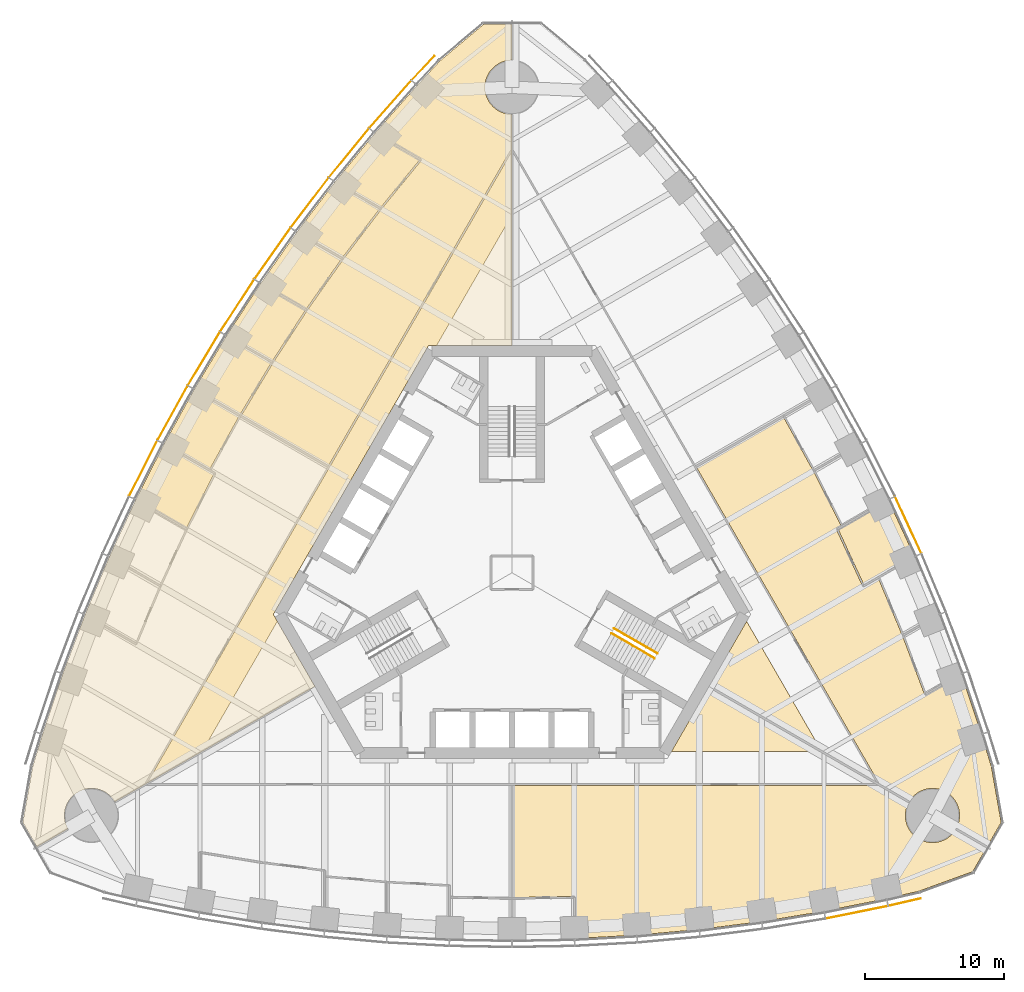
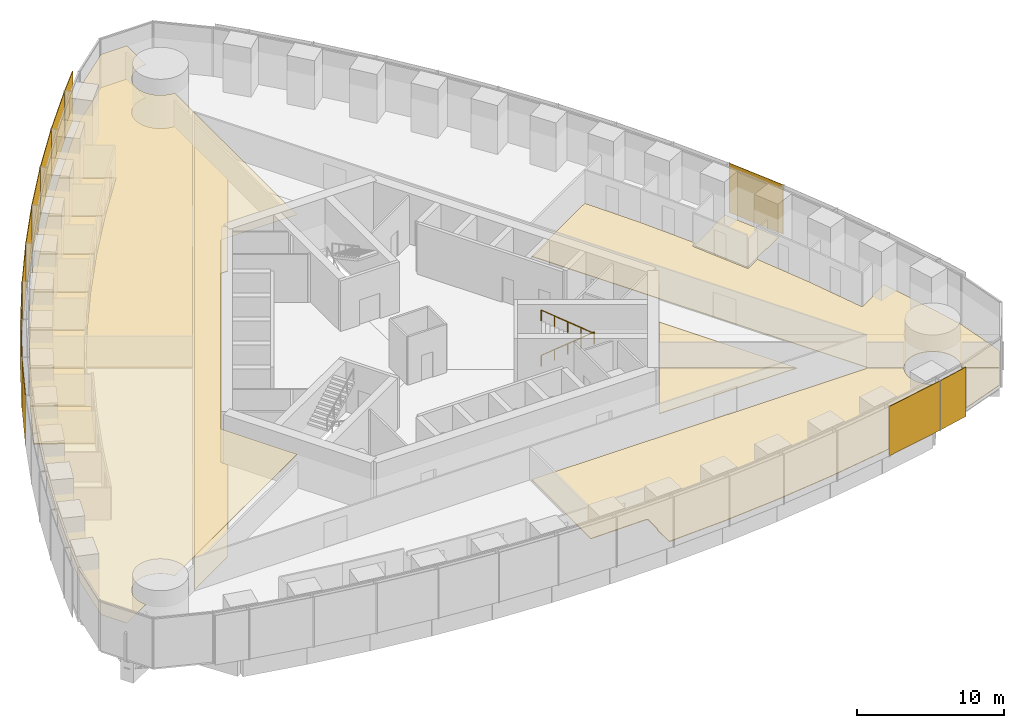
# One storey, part 15 of 18: 15 coverings, 12 shading devices, 2 railings.
"""IFC4 building model written with IfcOpenShell, lengths in metres."""

from ifc_helpers import new_model, si_unit, direction, frame, origin, origin_2d, place, context, subcontext, project, spatial, polyline, rectangle, circle, outline, extrude, material, layer, layer_set, type_object, element, save


model = new_model("IFC4")

# Units and contexts
model_context = context("Model", 3, precision=1e-05, world=origin(), true_north=direction((0.0, 1.0)))
body_context = subcontext(model_context, "Body", "Model", "MODEL_VIEW")
ifc_project = project(units=[si_unit("LENGTHUNIT", "METRE"), si_unit("AREAUNIT", "SQUARE_METRE"), si_unit("VOLUMEUNIT", "CUBIC_METRE"), si_unit("PLANEANGLEUNIT", "RADIAN"), si_unit("MASSUNIT", "GRAM", prefix="KILO")], contexts=[model_context])

# Site, building, storey
site_placement = place(None, origin())
site = spatial("IfcSite", under=ifc_project, at=site_placement, CompositionType="ELEMENT")
building_placement = place(site_placement, origin())
building = spatial("IfcBuilding", under=site, at=building_placement, Name="Trefoil Bronze Tower", CompositionType="ELEMENT")
storey_placement = place(building_placement, frame((0.0, 0.0, 161.89990234375)))
storey = spatial("IfcBuildingStorey", under=building, at=storey_placement, Name="L37", CompositionType="ELEMENT", Elevation=161.89990234375)

# Shading devices
ifc_material_1 = material(Name="Perforated bronze sheet", Category="bronze")
ifc_layer_1 = layer(ifc_material_1, 0.0400390625)
ifc_layer_set_1 = layer_set([ifc_layer_1], Name="Bronze solar screen panel")
shading_device_type = type_object("IfcShadingDeviceType", Name="Bronze solar screen panel", PredefinedType="SHUTTER", material=ifc_layer_set_1)
shading_device_1_placement = place(storey_placement, frame((24.85693359375, -24.480224609375, 0.050048828125), z_axis=(0.0, 0.0, 1.0), x_axis=(0.980155155547, 0.198231861853, 0.0)))
element("IfcShadingDevice", 1, at=shading_device_1_placement, inside=storey, type_object=shading_device_type, Name="Solar screen CW-A L37 F1 bay 13", PredefinedType="SHUTTER", context=body_context, shape_type="SweptSolid", body=[
    extrude(rectangle(XDim=4.56103515625, YDim=0.0400390625, at=origin_2d()), origin(), (0.0, 0.0, 1.0), 4.10009765625),
])
shading_device_2_placement = place(storey_placement, frame((28.30078125, -23.748779296875, 0.050048828125), z_axis=(0.0, 0.0, 1.0), x_axis=(0.97420444715, 0.225667222151, 0.0)))
element("IfcShadingDevice", 2, at=shading_device_2_placement, inside=storey, type_object=shading_device_type, Name="Solar screen CW-A L37 F1 bay 14", PredefinedType="SHUTTER", context=body_context, shape_type="SweptSolid", body=[
    extrude(rectangle(XDim=2.39013671875, YDim=0.0400390625, at=origin_2d()), origin(), (0.0, 0.0, 1.0), 4.10009765625),
])
shading_device_3_placement = place(storey_placement, frame((28.563720703125, 3.444580078125, 0.050048828125), z_axis=(0.0, 0.0, 1.0), x_axis=(-0.419932995871, 0.907555110712, 0.0)))
element("IfcShadingDevice", 3, at=shading_device_3_placement, inside=storey, type_object=shading_device_type, Name="Solar screen CW-A L37 F2 bay 5", PredefinedType="SHUTTER", context=body_context, shape_type="SweptSolid", body=[
    extrude(rectangle(XDim=4.48828125, YDim=0.0400390625, at=origin_2d()), origin(), (0.0, 0.0, 1.0), 4.10009765625),
])
shading_device_4_placement = place(storey_placement, frame((-6.416748046875, 36.383544921875, 0.050048828125), z_axis=(0.0, 0.0, 1.0), x_axis=(-0.682535770759, -0.730852188636, 0.0)))
element("IfcShadingDevice", 4, at=shading_device_4_placement, inside=storey, type_object=shading_device_type, Name="Solar screen CW-A L37 F3 bay 1", PredefinedType="SHUTTER", context=body_context, shape_type="SweptSolid", body=[
    extrude(rectangle(XDim=2.39013671875, YDim=0.0400390625, at=origin_2d()), origin(), (0.0, 0.0, 1.0), 4.10009765625),
])
shading_device_5_placement = place(storey_placement, frame((-8.77197265625, 33.766845703125, 0.050048828125), z_axis=(0.0, 0.0, 1.0), x_axis=(-0.661751405978, -0.749723333428, 0.0)))
element("IfcShadingDevice", 5, at=shading_device_5_placement, inside=storey, type_object=shading_device_type, Name="Solar screen CW-A L37 F3 bay 2", PredefinedType="SHUTTER", context=body_context, shape_type="SweptSolid", body=[
    extrude(rectangle(XDim=4.56103515625, YDim=0.0400390625, at=origin_2d()), origin(), (0.0, 0.0, 1.0), 4.10009765625),
])
shading_device_6_placement = place(storey_placement, frame((-11.7490234375, 30.26708984375, 0.050048828125), z_axis=(0.0, 0.0, 1.0), x_axis=(-0.633839916024, -0.773464259584, 0.0)))
element("IfcShadingDevice", 6, at=shading_device_6_placement, inside=storey, type_object=shading_device_type, Name="Solar screen CW-A L37 F3 bay 3", PredefinedType="SHUTTER", context=body_context, shape_type="SweptSolid", body=[
    extrude(rectangle(XDim=4.5302734375, YDim=0.0400390625, at=origin_2d()), origin(), (0.0, 0.0, 1.0), 4.10009765625),
])
shading_device_7_placement = place(storey_placement, frame((-14.579345703125, 26.6826171875, 0.050048828125), z_axis=(0.0, 0.0, 1.0), x_axis=(-0.605252319983, -0.796033685943, 0.0)))
element("IfcShadingDevice", 7, at=shading_device_7_placement, inside=storey, type_object=shading_device_type, Name="Solar screen CW-A L37 F3 bay 4", PredefinedType="SHUTTER", context=body_context, shape_type="SweptSolid", body=[
    extrude(rectangle(XDim=4.50634765625, YDim=0.0400390625, at=origin_2d()), origin(), (0.0, 0.0, 1.0), 4.10009765625),
])
shading_device_8_placement = place(storey_placement, frame((-17.264892578125, 23.014404296875, 0.050048828125), z_axis=(0.0, 0.0, 1.0), x_axis=(-0.575999283275, -0.817450197667, 0.0)))
element("IfcShadingDevice", 8, at=shading_device_8_placement, inside=storey, type_object=shading_device_type, Name="Solar screen CW-A L37 F3 bay 5", PredefinedType="SHUTTER", context=body_context, shape_type="SweptSolid", body=[
    extrude(rectangle(XDim=4.48828125, YDim=0.0400390625, at=origin_2d()), origin(), (0.0, 0.0, 1.0), 4.10009765625),
])
shading_device_9_placement = place(storey_placement, frame((-19.8076171875, 19.263916015625, 0.050048828125), z_axis=(0.0, 0.0, 1.0), x_axis=(-0.546088612237, -0.837727418427, 0.0)))
element("IfcShadingDevice", 9, at=shading_device_9_placement, inside=storey, type_object=shading_device_type, Name="Solar screen CW-A L37 F3 bay 6", PredefinedType="SHUTTER", context=body_context, shape_type="SweptSolid", body=[
    extrude(rectangle(XDim=4.4765625, YDim=0.0400390625, at=origin_2d()), origin(), (0.0, 0.0, 1.0), 4.10009765625),
])
for number, where, z_axis, x_axis, name in (
    (10, (-22.208740234375, 15.431396484375, 0.050048828125), (0.0, 0.0, 1.0), (-0.515525413486, -0.856874289526, 0.0), "Solar screen CW-A L37 F3 bay 7"),
    (11, (-24.468505859375, 11.517578125, 0.050048828125), (0.0, 0.0, 1.0), (-0.484312195836, -0.874895249138, 0.0), "Solar screen CW-A L37 F3 bay 8"),
):
    element("IfcShadingDevice", number, at=place(storey_placement, frame(where, z_axis=z_axis, x_axis=x_axis)), inside=storey, type_object=shading_device_type, Name=name, PredefinedType="SHUTTER", context=body_context, shape_type="SweptSolid", body=[
        extrude(rectangle(XDim=4.470703125, YDim=0.0400390625, at=origin_2d()), origin(), (0.0, 0.0, 1.0), 4.10009765625),
    ])
shading_device_10_placement = place(storey_placement, frame((-26.5869140625, 7.52197265625, 0.050048828125), z_axis=(0.0, 0.0, 1.0), x_axis=(-0.452448919686, -0.891790320128, 0.0)))
element("IfcShadingDevice", 12, at=shading_device_10_placement, inside=storey, type_object=shading_device_type, Name="Solar screen CW-A L37 F3 bay 9", PredefinedType="SHUTTER", context=body_context, shape_type="SweptSolid", body=[
    extrude(rectangle(XDim=4.4765625, YDim=0.0400390625, at=origin_2d()), origin(), (0.0, 0.0, 1.0), 4.10009765625),
])

# Railings
ifc_material_2 = material(Name="Steel handrail", Category="steel")
railing_type = type_object("IfcRailingType", Name="Handrail 900", PredefinedType="HANDRAIL", material=ifc_material_2)
railing_1_placement = place(storey_placement, frame((7.365966796875, -4.021728515625, 0.16162109375)))
element("IfcRailing", 13, at=railing_1_placement, inside=storey, type_object=railing_type, Name="Handrail ST1 flight 1 L37", PredefinedType="HANDRAIL", context=body_context, shape_type="SweptSolid", body=[
    extrude(circle(Radius=0.02392578125, at=origin_2d()), frame((0.0, 0.0, 0.8759765625), z_axis=(0.76250339821, -0.440245697338, 0.474101564745), x_axis=(0.500012057535, 0.866018442252, 0.0)), (0.0, 0.0, 1.0), 4.088623046875),
    extrude(circle(Radius=0.02099609375, at=origin_2d()), origin(), (0.0, 0.0, 1.0), 0.851806640625),
    extrude(circle(Radius=0.02099609375, at=origin_2d()), frame((0.779296875, -0.449951171875, 0.484619140625)), (0.0, 0.0, 1.0), 0.851806640625),
    extrude(circle(Radius=0.02099609375, at=origin_2d()), frame((1.558837890625, -0.89990234375, 0.96923828125)), (0.0, 0.0, 1.0), 0.851806640625),
    extrude(circle(Radius=0.02099609375, at=origin_2d()), frame((2.33837890625, -1.35009765625, 1.453857421875)), (0.0, 0.0, 1.0), 0.851806640625),
    extrude(circle(Radius=0.02099609375, at=origin_2d()), frame((3.11767578125, -1.800048828125, 1.9384765625)), (0.0, 0.0, 1.0), 0.851806640625),
])
railing_2_placement = place(storey_placement, frame((10.28369140625, -6.168212890625, 2.26171875)))
element("IfcRailing", 14, at=railing_2_placement, inside=storey, type_object=railing_type, Name="Handrail ST1 flight 2 L37", PredefinedType="HANDRAIL", context=body_context, shape_type="SweptSolid", body=[
    extrude(circle(Radius=0.02392578125, at=origin_2d()), frame((0.0, 0.0, 0.8759765625), z_axis=(-0.76250339821, 0.440245697338, 0.474101564745), x_axis=(-0.500012057535, -0.866018442252, 0.0)), (0.0, 0.0, 1.0), 4.088623046875),
    extrude(circle(Radius=0.02099609375, at=origin_2d()), origin(), (0.0, 0.0, 1.0), 0.851806640625),
    extrude(circle(Radius=0.02099609375, at=origin_2d()), frame((-0.779296875, 0.449951171875, 0.484619140625)), (0.0, 0.0, 1.0), 0.851806640625),
    extrude(circle(Radius=0.02099609375, at=origin_2d()), frame((-1.558837890625, 0.89990234375, 0.96923828125)), (0.0, 0.0, 1.0), 0.851806640625),
    extrude(circle(Radius=0.02099609375, at=origin_2d()), frame((-2.33837890625, 1.35009765625, 1.453857421875)), (0.0, 0.0, 1.0), 0.851806640625),
    extrude(circle(Radius=0.02099609375, at=origin_2d()), frame((-3.11767578125, 1.800048828125, 1.9384765625)), (0.0, 0.0, 1.0), 0.851806640625),
])

# Coverings
ifc_material_3 = material(Name="Acoustic ceiling panels", Category="mineral fibre")
ifc_layer_2 = layer(ifc_material_3, 0.02001953125)
ifc_layer_set_2 = layer_set([ifc_layer_2], Name="Office ceiling 20")
covering_type_1 = type_object("IfcCoveringType", Name="Office ceiling 20", PredefinedType="CEILING", material=ifc_layer_set_2)
covering_1_placement = place(storey_placement, frame((0.0, 0.0, 2.900146484375)))
element("IfcCovering", 15, at=covering_1_placement, inside=storey, type_object=covering_type_1, Name="Ceiling L37 Workspace F3", PredefinedType="CEILING", context=body_context, shape_type="SweptSolid", body=[
    extrude(outline(polyline([(-33.847900390625, -11.634765625), (-32.385986328125, -7.28271484375), (-30.776611328125, -3.015625), (-29.022216796875, 1.16748046875), (-27.124755859375, 5.268310546875), (-25.085693359375, 9.287109375), (-22.906005859375, 13.224853515625), (-20.585693359375, 17.081298828125), (-18.124755859375, 20.856689453125), (-15.522216796875, 24.55029296875), (-12.776611328125, 28.1611328125), (-9.885986328125, 31.6884765625), (-6.847900390625, 35.130615234375), (-5.1962890625, 36.8994140625), (-2.052001953125, 39.53759765625), (-0.014892578125, 39.53759765625), (-0.013916015625, 36.94970703125), (-0.095703125, 36.94775390625), (-0.191162109375, 36.940673828125), (-0.2861328125, 36.928955078125), (-0.38037109375, 36.91259765625), (-0.473876953125, 36.8916015625), (-0.566162109375, 36.865966796875), (-0.656982421875, 36.8359375), (-0.74609375, 36.801513671875), (-0.833740234375, 36.7626953125), (-0.919189453125, 36.7197265625), (-1.00244140625, 36.672607421875), (-1.08349609375, 36.621337890625), (-1.16162109375, 36.56640625), (-1.237060546875, 36.50732421875), (-1.3095703125, 36.44482421875), (-1.37890625, 36.37890625), (-1.44482421875, 36.3095703125), (-1.50732421875, 36.237060546875), (-1.56640625, 36.16162109375), (-1.621337890625, 36.08349609375), (-1.672607421875, 36.00244140625), (-1.7197265625, 35.919189453125), (-1.7626953125, 35.833740234375), (-1.801513671875, 35.74609375), (-1.8359375, 35.656982421875), (-1.865966796875, 35.566162109375), (-1.8916015625, 35.473876953125), (-1.91259765625, 35.38037109375), (-1.928955078125, 35.2861328125), (-1.940673828125, 35.191162109375), (-1.94775390625, 35.095703125), (-1.949951171875, 35.0), (-1.94775390625, 34.904296875), (-1.940673828125, 34.808837890625), (-1.928955078125, 34.7138671875), (-1.91259765625, 34.61962890625), (-1.8916015625, 34.526123046875), (-1.865966796875, 34.433837890625), (-1.8359375, 34.343017578125), (-1.801513671875, 34.25390625), (-1.7626953125, 34.166259765625), (-1.7197265625, 34.080810546875), (-1.672607421875, 33.99755859375), (-1.621337890625, 33.91650390625), (-1.56640625, 33.83837890625), (-1.50732421875, 33.762939453125), (-1.44482421875, 33.6904296875), (-1.37890625, 33.62109375), (-1.3095703125, 33.55517578125), (-1.237060546875, 33.49267578125), (-1.16162109375, 33.43359375), (-1.08349609375, 33.378662109375), (-1.00244140625, 33.327392578125), (-0.919189453125, 33.2802734375), (-0.833740234375, 33.2373046875), (-0.74609375, 33.198486328125), (-0.656982421875, 33.1640625), (-0.566162109375, 33.134033203125), (-0.473876953125, 33.1083984375), (-0.38037109375, 33.08740234375), (-0.2861328125, 33.071044921875), (-0.191162109375, 33.059326171875), (-0.095703125, 33.05224609375), (-0.012451171875, 33.05029296875), (-0.006103515625, 16.39990234375), (-6.00439453125, 16.39990234375), (-17.205078125, -3.0), (-14.205810546875, -8.194580078125), (-28.628662109375, -16.514404296875), (-28.689453125, -16.41650390625), (-28.74462890625, -16.33837890625), (-28.803466796875, -16.262939453125), (-28.865966796875, -16.1904296875), (-28.931884765625, -16.12109375), (-29.001220703125, -16.05517578125), (-29.07373046875, -15.99267578125), (-29.1494140625, -15.93359375), (-29.2275390625, -15.878662109375), (-29.308349609375, -15.827392578125), (-29.3916015625, -15.7802734375), (-29.477294921875, -15.7373046875), (-29.564697265625, -15.698486328125), (-29.654052734375, -15.6640625), (-29.744873046875, -15.634033203125), (-29.837158203125, -15.6083984375), (-29.930419921875, -15.58740234375), (-30.02490234375, -15.571044921875), (-30.119873046875, -15.559326171875), (-30.215087890625, -15.55224609375), (-30.310791015625, -15.550048828125), (-30.406494140625, -15.55224609375), (-30.501953125, -15.559326171875), (-30.596923828125, -15.571044921875), (-30.69140625, -15.58740234375), (-30.78466796875, -15.6083984375), (-30.876953125, -15.634033203125), (-30.9677734375, -15.6640625), (-31.05712890625, -15.698486328125), (-31.14453125, -15.7373046875), (-31.22998046875, -15.7802734375), (-31.3134765625, -15.827392578125), (-31.394287109375, -15.878662109375), (-31.472412109375, -15.93359375), (-31.548095703125, -15.99267578125), (-31.620361328125, -16.05517578125), (-31.689697265625, -16.12109375), (-31.755615234375, -16.1904296875), (-31.818359375, -16.262939453125), (-31.877197265625, -16.33837890625), (-31.932373046875, -16.41650390625), (-31.9833984375, -16.49755859375), (-32.030517578125, -16.580810546875), (-32.07373046875, -16.666259765625), (-32.112548828125, -16.75390625), (-32.14697265625, -16.843017578125), (-32.177001953125, -16.933837890625), (-32.202392578125, -17.026123046875), (-32.223388671875, -17.11962890625), (-32.23974609375, -17.2138671875), (-32.25146484375, -17.308837890625), (-32.258544921875, -17.404296875), (-32.260986328125, -17.5), (-32.258544921875, -17.595703125), (-32.25146484375, -17.691162109375), (-32.23974609375, -17.7861328125), (-32.223388671875, -17.88037109375), (-32.202392578125, -17.973876953125), (-32.177001953125, -18.066162109375), (-32.14697265625, -18.156982421875), (-32.112548828125, -18.24609375), (-32.07373046875, -18.333740234375), (-32.030517578125, -18.419189453125), (-32.006103515625, -18.462646484375), (-34.247802734375, -19.755859375), (-35.2666015625, -17.99169921875), (-34.5537109375, -13.94970703125), (-33.847900390625, -11.634765625)])), origin(), (0.0, 0.0, 1.0), 0.02001953125),
])
ifc_material_4 = material(Name="Raised access floor panels", Category="steel")
ifc_layer_3 = layer(ifc_material_4, 0.050048828125)
ifc_layer_set_3 = layer_set([ifc_layer_3], Name="Raised access floor 150")
covering_type_2 = type_object("IfcCoveringType", Name="Raised access floor 150", PredefinedType="FLOORING", material=ifc_layer_set_3)
covering_2_placement = place(storey_placement, frame((0.0, 0.0, 0.10009765625)))
element("IfcCovering", 16, at=covering_2_placement, inside=storey, type_object=covering_type_2, Name="Raised floor L37 Workspace F1", PredefinedType="FLOORING", context=body_context, shape_type="SweptSolid", body=[
    extrude(outline(polyline([(9.0, -26.125), (4.5, -26.36865234375), (4.5, -24.737548828125), (4.56005859375, -24.737548828125), (4.56005859375, -23.3935546875), (4.5, -23.3935546875), (4.498779296875, -23.33349609375), (0.074951171875, -23.413330078125), (0.074951171875, -15.320068359375), (26.398193359375, -15.320068359375), (26.398193359375, -15.254150390625), (28.616455078125, -16.535888671875), (28.591064453125, -16.580810546875), (28.548095703125, -16.666259765625), (28.50927734375, -16.75390625), (28.474853515625, -16.843017578125), (28.44482421875, -16.933837890625), (28.419189453125, -17.026123046875), (28.3984375, -17.11962890625), (28.382080078125, -17.2138671875), (28.370361328125, -17.308837890625), (28.36328125, -17.404296875), (28.36083984375, -17.5), (28.36328125, -17.595703125), (28.370361328125, -17.691162109375), (28.382080078125, -17.7861328125), (28.3984375, -17.88037109375), (28.419189453125, -17.973876953125), (28.44482421875, -18.066162109375), (28.474853515625, -18.156982421875), (28.50927734375, -18.24609375), (28.548095703125, -18.333740234375), (28.591064453125, -18.419189453125), (28.63818359375, -18.50244140625), (28.689453125, -18.58349609375), (28.74462890625, -18.66162109375), (28.803466796875, -18.737060546875), (28.865966796875, -18.8095703125), (28.931884765625, -18.87890625), (29.001220703125, -18.94482421875), (29.07373046875, -19.00732421875), (29.1494140625, -19.06640625), (29.2275390625, -19.121337890625), (29.308349609375, -19.172607421875), (29.3916015625, -19.2197265625), (29.477294921875, -19.2626953125), (29.564697265625, -19.301513671875), (29.654052734375, -19.3359375), (29.744873046875, -19.365966796875), (29.837158203125, -19.3916015625), (29.930419921875, -19.41259765625), (30.02490234375, -19.428955078125), (30.119873046875, -19.440673828125), (30.215087890625, -19.44775390625), (30.310791015625, -19.449951171875), (30.406494140625, -19.44775390625), (30.501953125, -19.440673828125), (30.596923828125, -19.428955078125), (30.69140625, -19.41259765625), (30.78466796875, -19.3916015625), (30.876953125, -19.365966796875), (30.9677734375, -19.3359375), (31.05712890625, -19.301513671875), (31.14453125, -19.2626953125), (31.22998046875, -19.2197265625), (31.3134765625, -19.172607421875), (31.394287109375, -19.121337890625), (31.472412109375, -19.06640625), (31.548095703125, -19.00732421875), (31.620361328125, -18.94482421875), (31.689697265625, -18.87890625), (31.755615234375, -18.8095703125), (31.818359375, -18.737060546875), (31.877197265625, -18.66162109375), (31.932373046875, -18.58349609375), (31.992431640625, -18.48681640625), (34.233154296875, -19.781494140625), (33.21435546875, -21.5458984375), (29.357666015625, -22.94970703125), (27.0, -23.495849609375), (22.5, -24.406005859375), (18.0, -25.1455078125), (13.5, -25.7177734375), (9.0, -26.125)])), origin(), (0.0, 0.0, 1.0), 0.050048828125),
])
covering_3_placement = place(storey_placement, frame((0.0, 0.0, 0.10009765625)))
element("IfcCovering", 17, at=covering_3_placement, inside=storey, type_object=covering_type_2, Name="Raised floor L37 Workspace F1", PredefinedType="FLOORING", context=body_context, shape_type="SweptSolid", body=[
    extrude(outline(polyline([(11.4892578125, -12.89990234375), (14.19970703125, -8.205322265625), (22.32421875, -12.89990234375), (11.4892578125, -12.89990234375)])), origin(), (0.0, 0.0, 1.0), 0.050048828125),
])
covering_4_placement = place(storey_placement, frame((0.0, 0.0, 0.10009765625)))
element("IfcCovering", 18, at=covering_4_placement, inside=storey, type_object=covering_type_2, Name="Raised floor L37 Meeting room F2", PredefinedType="FLOORING", context=body_context, shape_type="SweptSolid", body=[
    extrude(outline(polyline([(27.124755859375, 5.268310546875), (29.022216796875, 1.16748046875), (27.602294921875, 0.347900390625), (27.572509765625, 0.399658203125), (25.368408203125, -0.87255859375), (23.521728515625, 3.11865234375), (25.739501953125, 4.399169921875), (25.709716796875, 4.451171875), (27.124755859375, 5.268310546875)])), origin(), (0.0, 0.0, 1.0), 0.050048828125),
])
covering_5_placement = place(storey_placement, frame((0.0, 0.0, 0.10009765625)))
element("IfcCovering", 19, at=covering_5_placement, inside=storey, type_object=covering_type_2, Name="Raised floor L37 Workspace F2", PredefinedType="FLOORING", context=body_context, shape_type="SweptSolid", body=[
    extrude(outline(polyline([(14.205810546875, -8.194580078125), (16.91650390625, -3.5), (22.333740234375, -12.88330078125), (14.205810546875, -8.194580078125)])), origin(), (0.0, 0.0, 1.0), 0.050048828125),
])
covering_6_placement = place(storey_placement, frame((0.0, 0.0, 0.10009765625)))
element("IfcCovering", 20, at=covering_6_placement, inside=storey, type_object=covering_type_2, Name="Raised floor L37 Workspace F2", PredefinedType="FLOORING", context=body_context, shape_type="SweptSolid", body=[
    extrude(outline(polyline([(26.40966796875, -15.234375), (26.466552734375, -15.201416015625), (13.304931640625, 7.594970703125), (19.577880859375, 11.216796875), (21.72021484375, 7.3466796875), (23.733154296875, 3.37939453125), (23.414306640625, 3.1953125), (23.444091796875, 3.143310546875), (23.389892578125, 3.117919921875), (25.287109375, -0.982666015625), (25.341796875, -0.95751953125), (25.37158203125, -1.009521484375), (26.4169921875, -0.406005859375), (28.14453125, -4.525390625), (29.753662109375, -8.791259765625), (29.809814453125, -8.77001953125), (29.839599609375, -8.822021484375), (30.981201171875, -8.1630859375), (30.951171875, -8.111083984375), (32.385986328125, -7.28271484375), (33.847900390625, -11.634765625), (34.5537109375, -13.94970703125), (35.2666015625, -17.99169921875), (34.247802734375, -19.755859375), (32.006103515625, -18.462646484375), (32.030517578125, -18.419189453125), (32.07373046875, -18.333740234375), (32.112548828125, -18.24609375), (32.14697265625, -18.156982421875), (32.177001953125, -18.066162109375), (32.202392578125, -17.973876953125), (32.223388671875, -17.88037109375), (32.23974609375, -17.7861328125), (32.25146484375, -17.691162109375), (32.258544921875, -17.595703125), (32.260986328125, -17.5), (32.258544921875, -17.404296875), (32.25146484375, -17.308837890625), (32.23974609375, -17.2138671875), (32.223388671875, -17.11962890625), (32.202392578125, -17.026123046875), (32.177001953125, -16.933837890625), (32.14697265625, -16.843017578125), (32.112548828125, -16.75390625), (32.07373046875, -16.666259765625), (32.030517578125, -16.580810546875), (31.9833984375, -16.49755859375), (31.932373046875, -16.41650390625), (31.877197265625, -16.33837890625), (31.818359375, -16.262939453125), (31.755615234375, -16.1904296875), (31.689697265625, -16.12109375), (31.620361328125, -16.05517578125), (31.548095703125, -15.99267578125), (31.472412109375, -15.93359375), (31.394287109375, -15.878662109375), (31.3134765625, -15.827392578125), (31.22998046875, -15.7802734375), (31.14453125, -15.7373046875), (31.05712890625, -15.698486328125), (30.9677734375, -15.6640625), (30.876953125, -15.634033203125), (30.78466796875, -15.6083984375), (30.69140625, -15.58740234375), (30.596923828125, -15.571044921875), (30.501953125, -15.559326171875), (30.406494140625, -15.55224609375), (30.310791015625, -15.550048828125), (30.215087890625, -15.55224609375), (30.119873046875, -15.559326171875), (30.02490234375, -15.571044921875), (29.930419921875, -15.58740234375), (29.837158203125, -15.6083984375), (29.744873046875, -15.634033203125), (29.654052734375, -15.6640625), (29.564697265625, -15.698486328125), (29.477294921875, -15.7373046875), (29.3916015625, -15.7802734375), (29.308349609375, -15.827392578125), (29.2275390625, -15.878662109375), (29.1494140625, -15.93359375), (29.07373046875, -15.99267578125), (29.001220703125, -16.05517578125), (28.931884765625, -16.12109375), (28.865966796875, -16.1904296875), (28.803466796875, -16.262939453125), (28.74462890625, -16.33837890625), (28.689453125, -16.41650390625), (28.628662109375, -16.514404296875), (26.40966796875, -15.234375)])), origin(), (0.0, 0.0, 1.0), 0.050048828125),
])
covering_7_placement = place(storey_placement, frame((0.0, 0.0, 0.10009765625)))
element("IfcCovering", 21, at=covering_7_placement, inside=storey, type_object=covering_type_2, Name="Raised floor L37 Team room F3", PredefinedType="FLOORING", context=body_context, shape_type="SweptSolid", body=[
    extrude(outline(polyline([(-12.776611328125, 28.1611328125), (-9.885986328125, 31.6884765625), (-8.451171875, 30.860107421875), (-8.481201171875, 30.80810546875), (-6.664794921875, 29.759521484375), (-9.478271484375, 26.326171875), (-11.3203125, 27.3896484375), (-11.350341796875, 27.337646484375), (-12.776611328125, 28.1611328125)])), origin(), (0.0, 0.0, 1.0), 0.050048828125),
])
covering_8_placement = place(storey_placement, frame((0.0, 0.0, 0.10009765625)))
element("IfcCovering", 22, at=covering_8_placement, inside=storey, type_object=covering_type_2, Name="Raised floor L37 Team room F3", PredefinedType="FLOORING", context=body_context, shape_type="SweptSolid", body=[
    extrude(outline(polyline([(-15.522216796875, 24.55029296875), (-12.776611328125, 28.1611328125), (-11.350341796875, 27.337646484375), (-11.38037109375, 27.28564453125), (-9.552978515625, 26.230712890625), (-12.2255859375, 22.716064453125), (-14.072509765625, 23.782470703125), (-14.102294921875, 23.73046875), (-15.522216796875, 24.55029296875)])), origin(), (0.0, 0.0, 1.0), 0.050048828125),
])
covering_9_placement = place(storey_placement, frame((0.0, 0.0, 0.10009765625)))
element("IfcCovering", 23, at=covering_9_placement, inside=storey, type_object=covering_type_2, Name="Raised floor L37 Team room F3", PredefinedType="FLOORING", context=body_context, shape_type="SweptSolid", body=[
    extrude(outline(polyline([(-15.522216796875, 24.55029296875), (-14.102294921875, 23.73046875), (-14.13232421875, 23.678466796875), (-12.296630859375, 22.61865234375), (-14.829833984375, 19.023681640625), (-16.6796875, 20.091552734375), (-16.709716796875, 20.03955078125), (-18.124755859375, 20.856689453125), (-15.522216796875, 24.55029296875)])), origin(), (0.0, 0.0, 1.0), 0.050048828125),
])
covering_10_placement = place(storey_placement, frame((0.0, 0.0, 0.10009765625)))
element("IfcCovering", 24, at=covering_10_placement, inside=storey, type_object=covering_type_2, Name="Raised floor L37 Team room F3", PredefinedType="FLOORING", context=body_context, shape_type="SweptSolid", body=[
    extrude(outline(polyline([(-18.124755859375, 20.856689453125), (-16.709716796875, 20.03955078125), (-16.739501953125, 19.987548828125), (-14.897216796875, 18.923828125), (-17.29248046875, 15.249267578125), (-19.143310546875, 16.31787109375), (-19.17333984375, 16.265869140625), (-20.585693359375, 17.081298828125), (-18.124755859375, 20.856689453125)])), origin(), (0.0, 0.0, 1.0), 0.050048828125),
])
covering_11_placement = place(storey_placement, frame((0.0, 0.0, 0.10009765625)))
element("IfcCovering", 25, at=covering_11_placement, inside=storey, type_object=covering_type_2, Name="Raised floor L37 Team room F3", PredefinedType="FLOORING", context=body_context, shape_type="SweptSolid", body=[
    extrude(outline(polyline([(-22.906005859375, 13.224853515625), (-20.585693359375, 17.081298828125), (-19.17333984375, 16.265869140625), (-19.203369140625, 16.2138671875), (-17.356201171875, 15.1474609375), (-19.606689453125, 11.406494140625), (-21.45703125, 12.474853515625), (-21.494384765625, 12.409912109375), (-22.906005859375, 13.224853515625)])), origin(), (0.0, 0.0, 1.0), 0.050048828125),
])
covering_12_placement = place(storey_placement, frame((0.0, 0.0, 0.10009765625)))
element("IfcCovering", 26, at=covering_12_placement, inside=storey, type_object=covering_type_2, Name="Raised floor L37 Team room F3", PredefinedType="FLOORING", context=body_context, shape_type="SweptSolid", body=[
    extrude(outline(polyline([(-25.085693359375, 9.287109375), (-22.906005859375, 13.224853515625), (-21.494384765625, 12.409912109375), (-21.531982421875, 12.344970703125), (-19.681884765625, 11.276611328125), (-21.796142578125, 7.457275390625), (-23.643310546875, 8.523681640625), (-23.67333984375, 8.4716796875), (-25.085693359375, 9.287109375)])), origin(), (0.0, 0.0, 1.0), 0.050048828125),
])
covering_13_placement = place(storey_placement, frame((0.0, 0.0, 0.10009765625)))
element("IfcCovering", 27, at=covering_13_placement, inside=storey, type_object=covering_type_2, Name="Raised floor L37 Meeting room F3", PredefinedType="FLOORING", context=body_context, shape_type="SweptSolid", body=[
    extrude(outline(polyline([(-27.124755859375, 5.268310546875), (-25.085693359375, 9.287109375), (-23.67333984375, 8.4716796875), (-23.703369140625, 8.419677734375), (-21.484619140625, 7.138671875), (-23.468994140625, 3.226806640625), (-25.6796875, 4.503173828125), (-25.709716796875, 4.451171875), (-27.124755859375, 5.268310546875)])), origin(), (0.0, 0.0, 1.0), 0.050048828125),
])
covering_14_placement = place(storey_placement, frame((0.0, 0.0, 0.10009765625)))
element("IfcCovering", 28, at=covering_14_placement, inside=storey, type_object=covering_type_2, Name="Raised floor L37 Corridor F3", PredefinedType="FLOORING", context=body_context, shape_type="SweptSolid", body=[
    extrude(outline(polyline([(-0.011474609375, 30.38037109375), (-0.009765625, 25.783203125), (-5.427001953125, 16.39990234375), (-6.00439453125, 16.39990234375), (-17.205078125, -3.0), (-16.91650390625, -3.5), (-22.333740234375, -12.88330078125), (-26.31591796875, -15.180419921875), (-0.011474609375, 30.38037109375)])), origin(), (0.0, 0.0, 1.0), 0.050048828125),
])
covering_15_placement = place(storey_placement, frame((0.0, 0.0, 0.10009765625)))
element("IfcCovering", 29, at=covering_15_placement, inside=storey, type_object=covering_type_2, Name="Raised floor L37 Workspace F3", PredefinedType="FLOORING", context=body_context, shape_type="SweptSolid", body=[
    extrude(outline(polyline([(-6.847900390625, 35.130615234375), (-5.1962890625, 36.8994140625), (-2.052001953125, 39.53759765625), (-0.014892578125, 39.53759765625), (-0.013916015625, 36.94970703125), (-0.095703125, 36.94775390625), (-0.191162109375, 36.940673828125), (-0.2861328125, 36.928955078125), (-0.38037109375, 36.91259765625), (-0.473876953125, 36.8916015625), (-0.566162109375, 36.865966796875), (-0.656982421875, 36.8359375), (-0.74609375, 36.801513671875), (-0.833740234375, 36.7626953125), (-0.919189453125, 36.7197265625), (-1.00244140625, 36.672607421875), (-1.08349609375, 36.621337890625), (-1.16162109375, 36.56640625), (-1.237060546875, 36.50732421875), (-1.3095703125, 36.44482421875), (-1.37890625, 36.37890625), (-1.44482421875, 36.3095703125), (-1.50732421875, 36.237060546875), (-1.56640625, 36.16162109375), (-1.621337890625, 36.08349609375), (-1.672607421875, 36.00244140625), (-1.7197265625, 35.919189453125), (-1.7626953125, 35.833740234375), (-1.801513671875, 35.74609375), (-1.8359375, 35.656982421875), (-1.865966796875, 35.566162109375), (-1.8916015625, 35.473876953125), (-1.91259765625, 35.38037109375), (-1.928955078125, 35.2861328125), (-1.940673828125, 35.191162109375), (-1.94775390625, 35.095703125), (-1.949951171875, 35.0), (-1.94775390625, 34.904296875), (-1.940673828125, 34.808837890625), (-1.928955078125, 34.7138671875), (-1.91259765625, 34.61962890625), (-1.8916015625, 34.526123046875), (-1.865966796875, 34.433837890625), (-1.8359375, 34.343017578125), (-1.801513671875, 34.25390625), (-1.7626953125, 34.166259765625), (-1.7197265625, 34.080810546875), (-1.672607421875, 33.99755859375), (-1.621337890625, 33.91650390625), (-1.56640625, 33.83837890625), (-1.50732421875, 33.762939453125), (-1.44482421875, 33.6904296875), (-1.37890625, 33.62109375), (-1.3095703125, 33.55517578125), (-1.237060546875, 33.49267578125), (-1.16162109375, 33.43359375), (-1.08349609375, 33.378662109375), (-1.00244140625, 33.327392578125), (-0.919189453125, 33.2802734375), (-0.833740234375, 33.2373046875), (-0.74609375, 33.198486328125), (-0.656982421875, 33.1640625), (-0.566162109375, 33.134033203125), (-0.473876953125, 33.1083984375), (-0.38037109375, 33.08740234375), (-0.2861328125, 33.071044921875), (-0.191162109375, 33.059326171875), (-0.095703125, 33.05224609375), (-0.012451171875, 33.05029296875), (-0.011474609375, 30.488525390625), (-0.068359375, 30.521484375), (-13.22998046875, 7.72509765625), (-19.5029296875, 11.3466796875), (-17.222412109375, 15.136962890625), (-14.7626953125, 18.910400390625), (-12.161376953125, 22.602294921875), (-9.4169921875, 26.211669921875), (-6.527099609375, 29.738037109375), (-6.573486328125, 29.77587890625), (-6.543701171875, 29.827880859375), (-8.421142578125, 30.912109375), (-8.451171875, 30.860107421875), (-9.885986328125, 31.6884765625), (-6.847900390625, 35.130615234375)])), origin(), (0.0, 0.0, 1.0), 0.050048828125),
])

save(model, "model.ifc")
